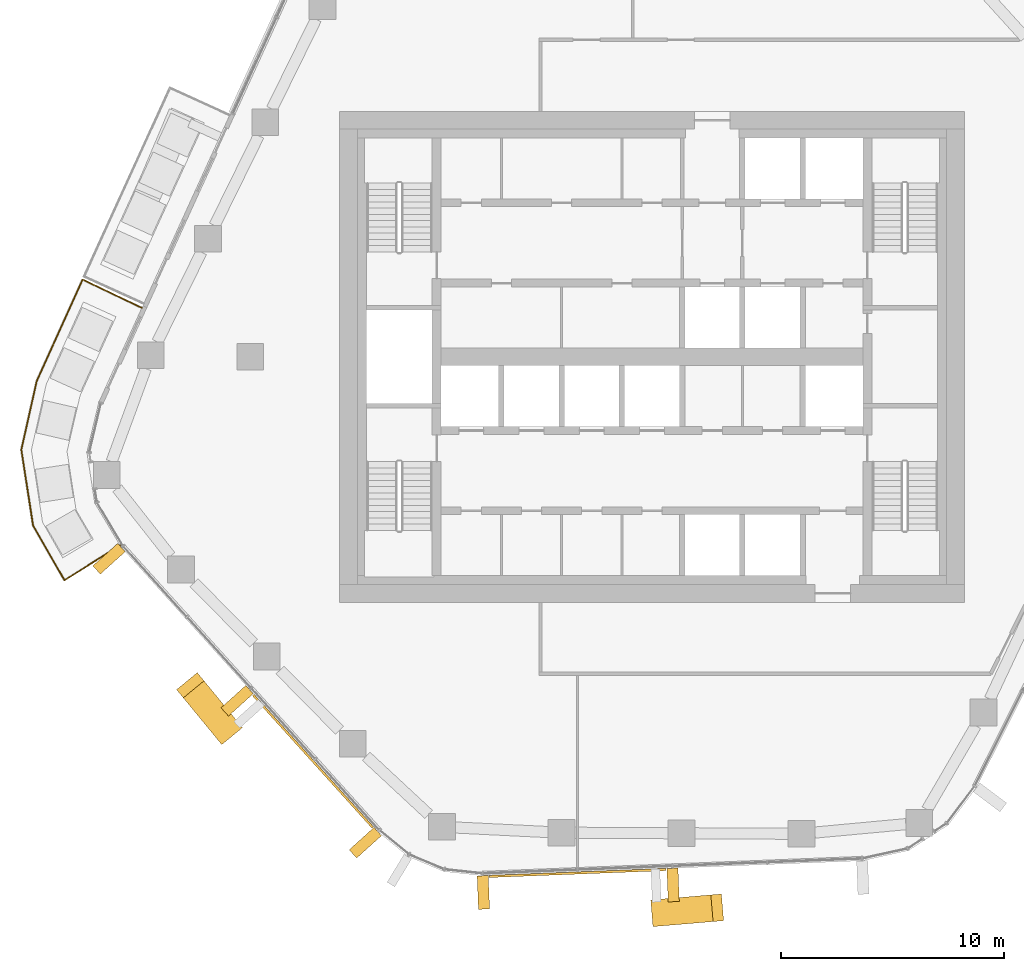
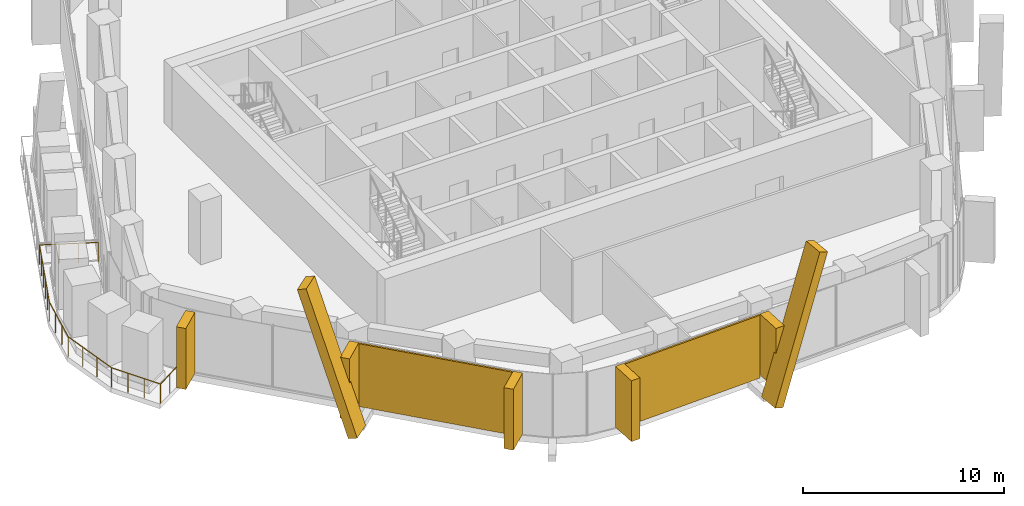
# One storey, part 15 of 19: 9 coverings, 1 railing, 2 elements without a shape of their own.
"""IFC4 building model written with IfcOpenShell, lengths in metres."""

import ifcopenshell
import ifcopenshell.guid

model = None  # the IFC model being written
_history = None  # IfcOwnerHistory: only IFC2X3 demands one
_inside = {}  # id of a spatial element -> (the spatial element, [elements in it])
_under = {}  # id of a project, library or spatial element -> (it, [spatial elements below it])
_declared = {}  # id of a project -> (the project, [libraries it declares])
_typed = {}  # id of a type object -> (the type object, [elements of that type])
_made_of = {}  # id of a material, layer set ... -> (it, [elements and type objects made of it])


def new_model(schema):
    """Start an empty IFC model of exactly this schema.

    Asked for "IFC4X3", IfcOpenShell would pick the latest addendum, in which some entities
    have other attributes; the version numbers below select the first issue.
    IFC2X3 requires an IfcOwnerHistory on every rooted entity: one is made here for all.
    """
    global model, _history
    if schema == "IFC4X3":
        model = ifcopenshell.file(schema_version=(4, 3, 0, 0))
    else:
        model = ifcopenshell.file(schema=schema)
    _inside.clear()
    _under.clear()
    _declared.clear()
    _typed.clear()
    _made_of.clear()
    _history = None
    if model.schema == "IFC2X3":
        org = make("IfcOrganization", Name="unknown")
        user = make(
            "IfcPersonAndOrganization",
            ThePerson=make("IfcPerson", FamilyName="unknown"),
            TheOrganization=org,
        )
        app = make(
            "IfcApplication",
            ApplicationDeveloper=org,
            Version="unknown",
            ApplicationFullName="unknown",
            ApplicationIdentifier="unknown",
        )
        _history = make(
            "IfcOwnerHistory",
            OwningUser=user,
            OwningApplication=app,
            ChangeAction="ADDED",
            CreationDate=0,
        )
    return model


def make(cls, **values):
    """One entity of the class cls with the attributes given. An attribute that is None is left unset."""
    return model.create_entity(
        cls, **{name: value for name, value in values.items() if value is not None}
    )


def rooted(cls, **values):
    """An entity with a GlobalId (a new one), such as an element, a storey or a relation."""
    return make(cls, GlobalId=ifcopenshell.guid.new(), OwnerHistory=_history, **values)


def si_unit(unit_type, name, prefix=None):
    """IfcSIUnit, for example si_unit("LENGTHUNIT", "METRE", prefix="MILLI")."""
    return make("IfcSIUnit", UnitType=unit_type, Prefix=prefix, Name=name)


def assignment(units):
    """IfcUnitAssignment: the units of a project."""
    return None if units is None else make("IfcUnitAssignment", Units=units)


def point(xyz):
    """IfcCartesianPoint."""
    return None if xyz is None else make("IfcCartesianPoint", Coordinates=xyz)


def direction(xyz):
    """IfcDirection."""
    return None if xyz is None else make("IfcDirection", DirectionRatios=xyz)


def frame(location, z_axis=None, x_axis=None):
    """IfcAxis2Placement3D, a coordinate frame: its origin and axes. An axis left out is left unset."""
    return make(
        "IfcAxis2Placement3D",
        Location=point(location),
        Axis=direction(z_axis),
        RefDirection=direction(x_axis),
    )


def frame_2d(location, x_axis=None):
    """IfcAxis2Placement2D, a coordinate frame in the plane: its origin and x axis."""
    return make(
        "IfcAxis2Placement2D", Location=point(location), RefDirection=direction(x_axis)
    )


def origin():
    """The frame at (0, 0, 0) with its axes left unset."""
    return frame((0.0, 0.0, 0.0))


def origin_2d():
    """The frame at (0, 0) in the plane with its x axis left unset."""
    return frame_2d((0.0, 0.0))


def place(relative_to, where):
    """IfcLocalPlacement: puts the frame where relative to a parent placement (None: the world)."""
    return make(
        "IfcLocalPlacement", PlacementRelTo=relative_to, RelativePlacement=where
    )


def context(
    kind, dimensions, precision=None, world=None, true_north=None, identifier=None
):
    """IfcGeometricRepresentationContext, for example the 3D "Model" context."""
    return make(
        "IfcGeometricRepresentationContext",
        ContextIdentifier=identifier,
        ContextType=kind,
        CoordinateSpaceDimension=dimensions,
        Precision=precision,
        WorldCoordinateSystem=world,
        TrueNorth=true_north,
    )


def subcontext(parent, identifier, kind, view, scale=None):
    """IfcGeometricRepresentationSubContext, for example "Body" below "Model"."""
    return make(
        "IfcGeometricRepresentationSubContext",
        ContextIdentifier=identifier,
        ContextType=kind,
        ParentContext=parent,
        TargetScale=scale,
        TargetView=view,
    )


def project(units=None, contexts=None):
    """IfcProject with its units and contexts."""
    return rooted(
        "IfcProject",
        Name="project",
        RepresentationContexts=contexts,
        UnitsInContext=assignment(units),
    )


def spatial(cls, under=None, at=None, **own):
    """A site, building, storey or space (cls), placed at a placement, below another one or the project."""
    s = rooted(cls, ObjectPlacement=at, **own)
    if under is not None:
        _under.setdefault(under.id(), (under, []))[1].append(s)
    return s


def profile(cls, at=None, kind="AREA", **sizes):
    """A parametric profile (cls). Its sizes go by their IFC names, for example OverallWidth=200.0."""
    return make(cls, ProfileType=kind, Position=at, **sizes)


def rectangle(**sizes):
    """IfcRectangleProfileDef."""
    return profile("IfcRectangleProfileDef", **sizes)


def circle(**sizes):
    """IfcCircleProfileDef."""
    return profile("IfcCircleProfileDef", **sizes)


def extrude(swept, where, along, depth):
    """IfcExtrudedAreaSolid: the profile swept, set in the frame where, extruded along a direction by depth."""
    return make(
        "IfcExtrudedAreaSolid",
        SweptArea=swept,
        Position=where,
        ExtrudedDirection=direction(along),
        Depth=depth,
    )


def shape(context_of_items, identifier, shape_type, items):
    """IfcShapeRepresentation: the items that make up one representation, for example the "Body"."""
    return make(
        "IfcShapeRepresentation",
        ContextOfItems=context_of_items,
        RepresentationIdentifier=identifier,
        RepresentationType=shape_type,
        Items=items,
    )


def material(Name=None, Category=None):
    """IfcMaterial."""
    return make("IfcMaterial", Name=Name, Category=Category)


def layer(
    of_material, thickness, ventilated=None, Name=None, Category=None, Priority=None
):
    """IfcMaterialLayer: one layer of a wall or slab, of a material (None: an air gap)."""
    return make(
        "IfcMaterialLayer",
        Material=of_material,
        LayerThickness=thickness,
        IsVentilated=ventilated,
        Name=Name,
        Category=Category,
        Priority=Priority,
    )


def layer_set(layers, Name=None):
    """IfcMaterialLayerSet."""
    return make("IfcMaterialLayerSet", MaterialLayers=layers, LayerSetName=Name)


def material_profile(
    of_material, cross_section, Name=None, Category=None, Priority=None
):
    """IfcMaterialProfile: a cross section and its material."""
    return make(
        "IfcMaterialProfile",
        Name=Name,
        Material=of_material,
        Profile=cross_section,
        Priority=Priority,
        Category=Category,
    )


def profile_set(profiles, Name=None, composite=None):
    """IfcMaterialProfileSet."""
    return make(
        "IfcMaterialProfileSet",
        Name=Name,
        MaterialProfiles=profiles,
        CompositeProfile=composite,
    )


def made_of(thing, what):
    """Note that an element or type object is made of a material, layer set ...; save() writes the relation."""
    if what is not None:
        _made_of.setdefault(what.id(), (what, []))[1].append(thing)
    return thing


def type_object(cls, material=None, **own):
    """A type object (cls), such as IfcWallType, which elements share."""
    return made_of(rooted(cls, **own), material)


def element(
    cls,
    number,
    at=None,
    inside=None,
    cuts=None,
    type_object=None,
    material=None,
    context=None,
    identifier="Body",
    shape_type=None,
    held_by="IfcProductDefinitionShape",
    body=None,
    shapes=None,
    **own,
):
    """One element of the class cls, such as IfcWall. Its Tag is "e" and its number.

    at: its placement. inside: the storey or other place that contains it. cuts: it is an
    opening in that element (IfcRelVoidsElement). A single representation is given by context,
    identifier, shape_type and body (its items); several are given by shapes. held_by: the class
    of the entity that holds the representations. save() writes the other relations.
    """
    e = rooted(cls, Tag="e%d" % number, ObjectPlacement=at, **own)
    if body is not None:
        shapes = [shape(context, identifier, shape_type, body)]
    if shapes is not None:
        e.Representation = make(held_by, Representations=shapes)
    if inside is not None:
        _inside.setdefault(inside.id(), (inside, []))[1].append(e)
    if cuts is not None:
        rooted(
            "IfcRelVoidsElement", RelatingBuildingElement=cuts, RelatedOpeningElement=e
        )
    if type_object is not None:
        _typed.setdefault(type_object.id(), (type_object, []))[1].append(e)
    return made_of(e, material)


def aggregate(whole, parts):
    """IfcRelAggregates: a whole, such as a stair, and the parts it consists of."""
    return rooted("IfcRelAggregates", RelatingObject=whole, RelatedObjects=parts)


def save(model, path):
    """Write the relations noted so far, then the file.

    IfcRelAggregates (storeys below a building ...), IfcRelContainedInSpatialStructure (elements
    in a storey), IfcRelDefinesByType, IfcRelAssociatesMaterial and IfcRelDeclares: one each for
    every whole, place, type object, material and project.
    """
    for whole, parts in _under.values():
        aggregate(whole, parts)
    for where, things in _inside.values():
        rooted(
            "IfcRelContainedInSpatialStructure",
            RelatedElements=things,
            RelatingStructure=where,
        )
    for kind, things in _typed.values():
        rooted("IfcRelDefinesByType", RelatedObjects=things, RelatingType=kind)
    for what, things in _made_of.values():
        rooted("IfcRelAssociatesMaterial", RelatedObjects=things, RelatingMaterial=what)
    for by, libraries in _declared.values():
        rooted("IfcRelDeclares", RelatingContext=by, RelatedDefinitions=libraries)
    model.write(path)


model = new_model("IFC4")

# Units and contexts
model_context = context("Model", 3, precision=1e-05, world=origin(), true_north=direction((0.0, 1.0)))
body_context = subcontext(model_context, "Body", "Model", "MODEL_VIEW")
ifc_project = project(units=[si_unit("LENGTHUNIT", "METRE"), si_unit("AREAUNIT", "SQUARE_METRE"), si_unit("VOLUMEUNIT", "CUBIC_METRE"), si_unit("PLANEANGLEUNIT", "RADIAN"), si_unit("MASSUNIT", "GRAM", prefix="KILO")], contexts=[model_context])

# Site, building, storey
site_placement = place(None, origin())
site = spatial("IfcSite", under=ifc_project, at=site_placement, CompositionType="ELEMENT")
building_placement = place(site_placement, origin())
building = spatial("IfcBuilding", under=site, at=building_placement, Name="Dongbaek Canopy Tower", CompositionType="ELEMENT")
storey_placement = place(building_placement, frame((0.0, 0.0, 207.199951171875)))
storey = spatial("IfcBuildingStorey", under=building, at=storey_placement, Name="L43", CompositionType="ELEMENT", Elevation=207.199951171875)

# Railing
ifc_material_1 = material(Name="Stainless steel", Category="steel")
railing_type = type_object("IfcRailingType", Name="Balcony balustrade 1200", PredefinedType="BALUSTRADE", material=ifc_material_1)
railing_placement = place(storey_placement, frame((-22.8623046875, 2.188720703125, 0.0)))
element("IfcRailing", 1, at=railing_placement, inside=storey, type_object=railing_type, Name="Balcony guard L43 2", PredefinedType="BALUSTRADE", context=body_context, shape_type="SweptSolid", body=[
    extrude(circle(Radius=0.02392578125, at=origin_2d()), frame((0.0, 0.0, 1.17578125), z_axis=(-0.901259905874, 0.433278873319, 0.0), x_axis=(-0.433278873319, -0.901259905874, 0.0)), (0.0, 0.0, 1.0), 2.940673828125),
    extrude(circle(Radius=0.02392578125, at=origin_2d()), frame((-2.650390625, 1.274169921875, 1.17578125), z_axis=(-0.412240513093, -0.911075056933, 0.0), x_axis=(0.911075056933, -0.412240513093, 0.0)), (0.0, 0.0, 1.0), 4.98193359375),
    extrude(circle(Radius=0.02392578125, at=origin_2d()), frame((-4.7041015625, -3.2646484375, 1.17578125), z_axis=(-0.219195960241, -0.975680855103, 0.0), x_axis=(0.975680855103, -0.219195960241, 0.0)), (0.0, 0.0, 1.0), 3.159912109375),
    extrude(circle(Radius=0.02392578125, at=origin_2d()), frame((-5.396728515625, -6.34765625, 1.17578125), z_axis=(0.152755574193, -0.988264000434, 0.0), x_axis=(0.988264000434, 0.152755574193, 0.0)), (0.0, 0.0, 1.0), 3.44091796875),
    extrude(circle(Radius=0.02392578125, at=origin_2d()), frame((-4.87109375, -9.748291015625, 1.17578125), z_axis=(0.497896398435, -0.867236517004, 0.0), x_axis=(0.867236517004, 0.497896398435, 0.0)), (0.0, 0.0, 1.0), 2.825927734375),
    extrude(circle(Radius=0.02392578125, at=origin_2d()), frame((-3.464111328125, -12.198974609375, 1.17578125), z_axis=(0.846680365996, 0.532101830326, 0.0), x_axis=(-0.532101830326, 0.846680365996, 0.0)), (0.0, 0.0, 1.0), 2.940673828125),
    extrude(circle(Radius=0.02099609375, at=origin_2d()), origin(), (0.0, 0.0, 1.0), 1.15185546875),
    extrude(circle(Radius=0.02099609375, at=origin_2d()), frame((-0.883544921875, 0.4248046875, 0.0)), (0.0, 0.0, 1.0), 1.15185546875),
    extrude(circle(Radius=0.02099609375, at=origin_2d()), frame((-1.766845703125, 0.849365234375, 0.0)), (0.0, 0.0, 1.0), 1.15185546875),
    extrude(circle(Radius=0.02099609375, at=origin_2d()), frame((-2.650390625, 1.274169921875, 0.0)), (0.0, 0.0, 1.0), 1.15185546875),
    extrude(circle(Radius=0.02099609375, at=origin_2d()), frame((-3.06103515625, 0.366455078125, 0.0)), (0.0, 0.0, 1.0), 1.15185546875),
    extrude(circle(Radius=0.02099609375, at=origin_2d()), frame((-3.471923828125, -0.541259765625, 0.0)), (0.0, 0.0, 1.0), 1.15185546875),
    extrude(circle(Radius=0.02099609375, at=origin_2d()), frame((-3.882568359375, -1.44921875, 0.0)), (0.0, 0.0, 1.0), 1.15185546875),
    extrude(circle(Radius=0.02099609375, at=origin_2d()), frame((-4.29345703125, -2.35693359375, 0.0)), (0.0, 0.0, 1.0), 1.15185546875),
    extrude(circle(Radius=0.02099609375, at=origin_2d()), frame((-4.7041015625, -3.2646484375, 0.0)), (0.0, 0.0, 1.0), 1.15185546875),
    extrude(circle(Radius=0.02099609375, at=origin_2d()), frame((-4.93505859375, -4.292236328125, 0.0)), (0.0, 0.0, 1.0), 1.15185546875),
    extrude(circle(Radius=0.02099609375, at=origin_2d()), frame((-5.165771484375, -5.320068359375, 0.0)), (0.0, 0.0, 1.0), 1.15185546875),
    extrude(circle(Radius=0.02099609375, at=origin_2d()), frame((-5.396728515625, -6.34765625, 0.0)), (0.0, 0.0, 1.0), 1.15185546875),
    extrude(circle(Radius=0.02099609375, at=origin_2d()), frame((-5.221435546875, -7.481201171875, 0.0)), (0.0, 0.0, 1.0), 1.15185546875),
    extrude(circle(Radius=0.02099609375, at=origin_2d()), frame((-5.04638671875, -8.61474609375, 0.0)), (0.0, 0.0, 1.0), 1.15185546875),
    extrude(circle(Radius=0.02099609375, at=origin_2d()), frame((-4.87109375, -9.748291015625, 0.0)), (0.0, 0.0, 1.0), 1.15185546875),
    extrude(circle(Radius=0.02099609375, at=origin_2d()), frame((-4.402099609375, -10.565185546875, 0.0)), (0.0, 0.0, 1.0), 1.15185546875),
    extrude(circle(Radius=0.02099609375, at=origin_2d()), frame((-3.93310546875, -11.382080078125, 0.0)), (0.0, 0.0, 1.0), 1.15185546875),
    extrude(circle(Radius=0.02099609375, at=origin_2d()), frame((-3.464111328125, -12.198974609375, 0.0)), (0.0, 0.0, 1.0), 1.15185546875),
    extrude(circle(Radius=0.02099609375, at=origin_2d()), frame((-2.63427734375, -11.677490234375, 0.0)), (0.0, 0.0, 1.0), 1.15185546875),
    extrude(circle(Radius=0.02099609375, at=origin_2d()), frame((-1.80419921875, -11.15576171875, 0.0)), (0.0, 0.0, 1.0), 1.15185546875),
    extrude(circle(Radius=0.02099609375, at=origin_2d()), frame((-0.974365234375, -10.63427734375, 0.0)), (0.0, 0.0, 1.0), 1.15185546875),
])

# Curtain wall, covering
ifc_material_2 = material(Name="Aluminium 6063-T6 pale anodised", Category="aluminium")
ifc_layer_1 = layer(ifc_material_2, 0.199951171875)
ifc_layer_set_1 = layer_set([ifc_layer_1], Name="CW-1 unitised tower curtain wall")
curtain_wall_type = type_object("IfcCurtainWallType", Name="CW-1 unitised tower curtain wall", PredefinedType="NOTDEFINED", material=ifc_layer_set_1)
curtain_wall_1_placement = place(storey_placement, origin())
curtain_wall_1 = element("IfcCurtainWall", 2, at=curtain_wall_1_placement, inside=storey, type_object=curtain_wall_type, Name="CW-1 curtain wall F3.1", PredefinedType="NOTDEFINED")
ifc_material_3 = material(Name="Aluminium 6063-T6 pale metal fin", Category="aluminium")
ifc_material_profile_1 = material_profile(ifc_material_3, rectangle(XDim=1.199951171875, YDim=0.5, at=origin_2d()), Name="Crease fin CF1 500 x 1200 pale metal")
ifc_profile_set_1 = profile_set([ifc_material_profile_1], Name="Aluminium 6063-T6 pale metal fin")
covering_type_1 = type_object("IfcCoveringType", Name="Crease fin CF1 500 x 1200 pale metal", PredefinedType="CLADDING", material=ifc_profile_set_1)
covering_1_placement = place(storey_placement, frame((-18.966064453125, -16.81298828125, -0.18994140625), z_axis=(-0.195123444127, 0.237522344176, 0.951582880032), x_axis=(-0.772701036385, -0.634770122461, 0.0)))
covering_1 = element("IfcCovering", 3, at=covering_1_placement, type_object=covering_type_1, Name="Crease fin L43 L45 F3", PredefinedType="CLADDING", context=body_context, shape_type="SweptSolid", body=[
    extrude(rectangle(XDim=1.199951171875, YDim=0.5, at=origin_2d()), origin(), (0.0, 0.0, 1.0), 8.827392578125),
])

curtain_wall_2_placement = place(storey_placement, origin())
curtain_wall_2 = element("IfcCurtainWall", 4, at=curtain_wall_2_placement, inside=storey, type_object=curtain_wall_type, Name="CW-1 curtain wall F4.1", PredefinedType="NOTDEFINED")
covering_2_placement = place(storey_placement, frame((0.22802734375, -24.914794921875, -0.18994140625), z_axis=(0.305354580351, 0.025702129668, 0.951891790483), x_axis=(-0.08387482841, 0.996476298343, 0.0)))
covering_2 = element("IfcCovering", 5, at=covering_2_placement, type_object=covering_type_1, Name="Crease fin L43 L45 F4", PredefinedType="CLADDING", context=body_context, shape_type="SweptSolid", body=[
    extrude(rectangle(XDim=1.199951171875, YDim=0.5, at=origin_2d()), origin(), (0.0, 0.0, 1.0), 8.824462890625),
])

# Covering
ifc_material_4 = material(Name="Perforated aluminium 6063-T6 pale metal screen", Category="aluminium")
ifc_layer_2 = layer(ifc_material_4, 0.10009765625)
ifc_layer_set_2 = layer_set([ifc_layer_2], Name="Facet screen FS1 100 pale metal")
covering_type_2 = type_object("IfcCoveringType", Name="Facet screen FS1 100 pale metal", PredefinedType="CLADDING", material=ifc_layer_set_2)
covering_3_placement = place(storey_placement, frame((-15.194091796875, -18.1201171875, 0.0), z_axis=(0.0, 0.0, 1.0), x_axis=(0.670067827801, -0.742299876159, 0.0)))
covering_3 = element("IfcCovering", 6, at=covering_3_placement, type_object=covering_type_2, Name="Facet screen L43 F3", PredefinedType="CLADDING", context=body_context, shape_type="SweptSolid", body=[
    extrude(rectangle(XDim=7.991455078125, YDim=0.10009765625, at=origin_2d()), origin(), (0.0, 0.0, 1.0), 3.820068359375),
])

covering_4_placement = place(storey_placement, frame((-3.334228515625, -23.12939453125, 0.0), z_axis=(0.0, 0.0, 1.0), x_axis=(0.999228419426, 0.039275511607, 0.0)))
covering_4 = element("IfcCovering", 7, at=covering_4_placement, type_object=covering_type_2, Name="Facet screen L43 F4", PredefinedType="CLADDING", context=body_context, shape_type="SweptSolid", body=[
    extrude(rectangle(XDim=7.927978515625, YDim=0.10009765625, at=origin_2d()), origin(), (0.0, 0.0, 1.0), 3.820068359375),
])

ifc_material_5 = material(Name="Aluminium 6063-T6 pale metal fin", Category="aluminium")
ifc_material_profile_2 = material_profile(ifc_material_5, rectangle(XDim=1.5, YDim=0.5, at=origin_2d()), Name="Fin FN1 500 x 1500 pale metal")
ifc_profile_set_2 = profile_set([ifc_material_profile_2], Name="Aluminium 6063-T6 pale metal fin")
covering_type_3 = type_object("IfcCoveringType", Name="Fin FN1 500 x 1500 pale metal", PredefinedType="CLADDING", material=ifc_profile_set_2)
covering_5_placement = place(storey_placement, frame((-24.330322265625, -9.0498046875, 0.1201171875), z_axis=(0.0, 0.0, 1.0), x_axis=(-0.742300008663, -0.670067681014, 0.0)))
covering_5 = element("IfcCovering", 8, at=covering_5_placement, type_object=covering_type_3, Name="Fin F3.1.1", PredefinedType="CLADDING", context=body_context, shape_type="SweptSolid", body=[
    extrude(rectangle(XDim=1.5, YDim=0.5, at=origin_2d()), origin(), (0.0, 0.0, 1.0), 3.699951171875),
])

covering_6_placement = place(storey_placement, frame((-18.58837890625, -15.410400390625, 0.1201171875), z_axis=(0.0, 0.0, 1.0), x_axis=(-0.742300008663, -0.670067681014, 0.0)))
covering_6 = element("IfcCovering", 9, at=covering_6_placement, type_object=covering_type_3, Name="Fin F3.1.3", PredefinedType="CLADDING", context=body_context, shape_type="SweptSolid", body=[
    extrude(rectangle(XDim=1.5, YDim=0.5, at=origin_2d()), origin(), (0.0, 0.0, 1.0), 3.699951171875),
])

covering_7_placement = place(storey_placement, frame((-12.844970703125, -21.77294921875, 0.1201171875), z_axis=(0.0, 0.0, 1.0), x_axis=(-0.742300008663, -0.670067681014, 0.0)))
covering_7 = element("IfcCovering", 10, at=covering_7_placement, type_object=covering_type_3, Name="Fin F3.1.5", PredefinedType="CLADDING", context=body_context, shape_type="SweptSolid", body=[
    extrude(rectangle(XDim=1.5, YDim=0.5, at=origin_2d()), origin(), (0.0, 0.0, 1.0), 3.699951171875),
])

aggregate(curtain_wall_1, [covering_5, covering_6, covering_7, covering_1, covering_3])

covering_8_placement = place(storey_placement, frame((-7.55712890625, -24.0, 0.1201171875), z_axis=(0.0, 0.0, 1.0), x_axis=(0.039275850271, -0.999228406114, 0.0)))
covering_8 = element("IfcCovering", 11, at=covering_8_placement, type_object=covering_type_3, Name="Fin F4.1.1", PredefinedType="CLADDING", context=body_context, shape_type="SweptSolid", body=[
    extrude(rectangle(XDim=1.5, YDim=0.5, at=origin_2d()), origin(), (0.0, 0.0, 1.0), 3.699951171875),
])

covering_9_placement = place(storey_placement, frame((0.944091796875, -23.665771484375, 0.1201171875), z_axis=(0.0, 0.0, 1.0), x_axis=(0.039275850271, -0.999228406114, 0.0)))
covering_9 = element("IfcCovering", 12, at=covering_9_placement, type_object=covering_type_3, Name="Fin F4.1.3", PredefinedType="CLADDING", context=body_context, shape_type="SweptSolid", body=[
    extrude(rectangle(XDim=1.5, YDim=0.5, at=origin_2d()), origin(), (0.0, 0.0, 1.0), 3.699951171875),
])

aggregate(curtain_wall_2, [covering_8, covering_9, covering_2, covering_4])

save(model, "model.ifc")
